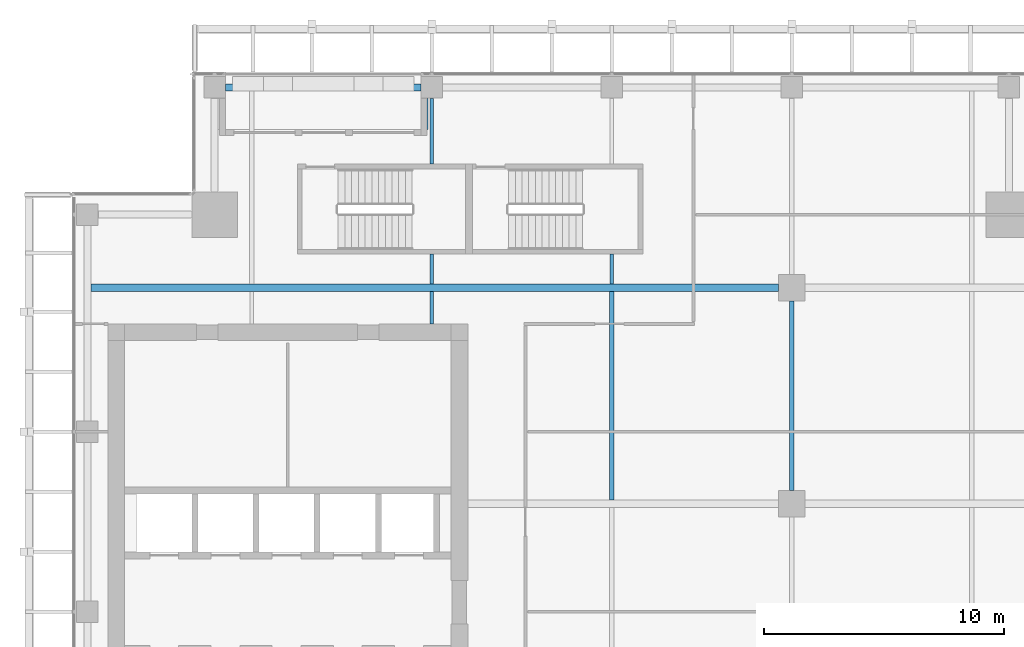
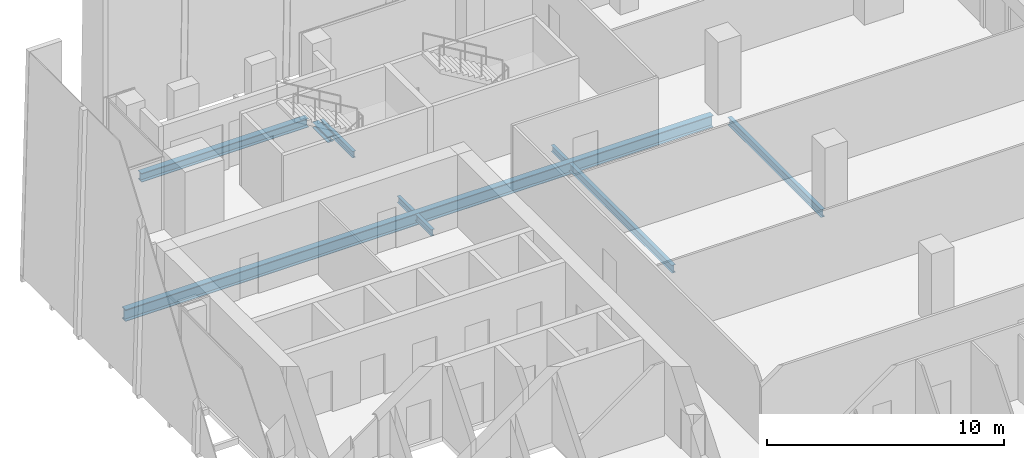
# One storey, part 15 of 35: 9 beams.
"""IFC4 building model written with IfcOpenShell, lengths in metres."""

from ifc_helpers import new_model, si_unit, direction, frame, origin, origin_2d, place, context, subcontext, project, spatial, i_section, extrude, source, transform, mapped, material, material_profile, profile_set, type_object, element, save


model = new_model("IFC4")

# Units and contexts
model_context = context("Model", 3, precision=1e-05, world=origin(), true_north=direction((0.0, 1.0)))
body_context = subcontext(model_context, "Body", "Model", "MODEL_VIEW")
ifc_project = project(units=[si_unit("LENGTHUNIT", "METRE"), si_unit("AREAUNIT", "SQUARE_METRE"), si_unit("VOLUMEUNIT", "CUBIC_METRE"), si_unit("PLANEANGLEUNIT", "RADIAN"), si_unit("MASSUNIT", "GRAM", prefix="KILO")], contexts=[model_context])

# Site, building, storey
site_placement = place(None, origin())
site = spatial("IfcSite", under=ifc_project, at=site_placement, CompositionType="ELEMENT")
building_placement = place(site_placement, origin())
building = spatial("IfcBuilding", under=site, at=building_placement, Name="Khomas Fold Tower", CompositionType="ELEMENT")
storey_placement = place(building_placement, frame((0.0, 0.0, 246.199951171875)))
storey = spatial("IfcBuildingStorey", under=building, at=storey_placement, Name="L55", CompositionType="ELEMENT", Elevation=246.199951171875)

# Beams
ifc_material_1 = material(Name="Steel S355", Category="steel")
ifc_material_profile_1 = material_profile(ifc_material_1, i_section(OverallWidth=0.179931640625, OverallDepth=0.39990234375, WebThickness=0.008544921875, FlangeThickness=0.013427734375, at=origin_2d()), Name="IPE 400")
ifc_profile_set_1 = profile_set([ifc_material_profile_1], Name="Steel S355")
beam_type_1 = type_object("IfcBeamType", Name="IPE 400 beam JB3", PredefinedType="BEAM", material=ifc_profile_set_1)
shared_shape_1 = source(origin(), body_context, "Body", "SweptSolid", [
    extrude(i_section(OverallWidth=0.179931640625, OverallDepth=0.39990234375, WebThickness=0.008544921875, FlangeThickness=0.013427734375, at=origin_2d()), origin(), (0.0, 0.0, 1.0), 8.7001953125),
])
beam_1_placement = place(storey_placement, frame((27.0, 31.64990234375, -0.449951171875), z_axis=(0.0, 1.0, 0.0), x_axis=(-1.0, 0.0, 0.0)))
element("IfcBeam", 1, at=beam_1_placement, inside=storey, type_object=beam_type_1, Name="JB3", PredefinedType="BEAM", context=body_context, shape_type="MappedRepresentation", body=[
    mapped(shared_shape_1, transform((0.0, 0.0, 0.0))),
])
ifc_material_2 = material(Name="Steel S355", Category="steel")
ifc_material_profile_2 = material_profile(ifc_material_2, i_section(OverallWidth=0.159912109375, OverallDepth=0.330078125, WebThickness=0.007568359375, FlangeThickness=0.011474609375, at=origin_2d()), Name="IPE 330")
ifc_profile_set_2 = profile_set([ifc_material_profile_2], Name="Steel S355")
beam_type_2 = type_object("IfcBeamType", Name="IPE 330 beam JB1", PredefinedType="BEAM", material=ifc_profile_set_2)
shared_shape_2 = source(origin(), body_context, "Body", "SweptSolid", [
    extrude(i_section(OverallWidth=0.159912109375, OverallDepth=0.330078125, WebThickness=0.007568359375, FlangeThickness=0.011474609375, at=origin_2d()), origin(), (0.0, 0.0, 1.0), 1.25),
])
for number, where, z_axis, x_axis, name in (
    (2, (19.5, 40.64990234375, -0.4150390625), (0.0, 1.0, 0.0), (-1.0, 0.0, 0.0), "JB1"),
    (3, (27.0, 40.64990234375, -0.4150390625), (0.0, 1.0, 0.0), (-1.0, 0.0, 0.0), "JB1"),
):
    element("IfcBeam", number, at=place(storey_placement, frame(where, z_axis=z_axis, x_axis=x_axis)), inside=storey, type_object=beam_type_2, Name=name, PredefinedType="BEAM", context=body_context, shape_type="MappedRepresentation", body=[
        mapped(shared_shape_2, transform((0.0, 0.0, 0.0))),
    ])
shared_shape_3 = source(origin(), body_context, "Body", "SweptSolid", [
    extrude(i_section(OverallWidth=0.159912109375, OverallDepth=0.330078125, WebThickness=0.007568359375, FlangeThickness=0.011474609375, at=origin_2d()), origin(), (0.0, 0.0, 1.0), 1.35009765625),
])
beam_2_placement = place(storey_placement, frame((19.5, 39.0, -0.4150390625), z_axis=(0.0, 1.0, 0.0), x_axis=(-1.0, 0.0, 0.0)))
element("IfcBeam", 4, at=beam_2_placement, inside=storey, type_object=beam_type_2, Name="JB1", PredefinedType="BEAM", context=body_context, shape_type="MappedRepresentation", body=[
    mapped(shared_shape_3, transform((0.0, 0.0, 0.0))),
])
shared_shape_4 = source(origin(), body_context, "Body", "SweptSolid", [
    extrude(i_section(OverallWidth=0.159912109375, OverallDepth=0.330078125, WebThickness=0.007568359375, FlangeThickness=0.011474609375, at=origin_2d()), origin(), (0.0, 0.0, 1.0), 2.75),
])
beam_3_placement = place(storey_placement, frame((19.5, 45.64990234375, -0.4150390625), z_axis=(0.0, 1.0, 0.0), x_axis=(-1.0, 0.0, 0.0)))
element("IfcBeam", 5, at=beam_3_placement, inside=storey, type_object=beam_type_2, Name="JB1", PredefinedType="BEAM", context=body_context, shape_type="MappedRepresentation", body=[
    mapped(shared_shape_4, transform((0.0, 0.0, 0.0))),
])
ifc_material_3 = material(Name="Steel S355", Category="steel")
ifc_material_profile_3 = material_profile(ifc_material_3, i_section(OverallWidth=0.300048828125, OverallDepth=0.449951171875, WebThickness=0.013916015625, FlangeThickness=0.02587890625, at=origin_2d()), Name="HE 450 B")
ifc_profile_set_3 = profile_set([ifc_material_profile_3], Name="Steel S355")
beam_type_3 = type_object("IfcBeamType", Name="HE 450 B spandrel SB4", PredefinedType="SPANDREL", material=ifc_profile_set_3)
shared_shape_5 = source(origin(), body_context, "Body", "SweptSolid", [
    extrude(i_section(OverallWidth=0.300048828125, OverallDepth=0.449951171875, WebThickness=0.013916015625, FlangeThickness=0.02587890625, at=origin_2d()), origin(), (0.0, 0.0, 1.0), 8.150146484375),
])
beam_4_placement = place(storey_placement, frame((10.89990234375, 48.85009765625, -0.474853515625), z_axis=(1.0, 0.0, 0.0), x_axis=(0.0, 1.0, 0.0)))
element("IfcBeam", 6, at=beam_4_placement, inside=storey, type_object=beam_type_3, Name="SB4", PredefinedType="SPANDREL", context=body_context, shape_type="MappedRepresentation", body=[
    mapped(shared_shape_5, transform((0.0, 0.0, 0.0))),
])
ifc_material_4 = material(Name="Steel S355", Category="steel")
ifc_material_profile_4 = material_profile(ifc_material_4, i_section(OverallWidth=0.300048828125, OverallDepth=0.60009765625, WebThickness=0.015380859375, FlangeThickness=0.030029296875, at=origin_2d()), Name="HE 600 B")
ifc_profile_set_4 = profile_set([ifc_material_profile_4], Name="Steel S355")
beam_type_4 = type_object("IfcBeamType", Name="HE 600 B beam GB5", PredefinedType="BEAM", material=ifc_profile_set_4)
shared_shape_6 = source(origin(), body_context, "Body", "SweptSolid", [
    extrude(i_section(OverallWidth=0.300048828125, OverallDepth=0.60009765625, WebThickness=0.015380859375, FlangeThickness=0.030029296875, at=origin_2d()), origin(), (0.0, 0.0, 1.0), 28.64990234375),
])
beam_5_placement = place(storey_placement, frame((5.300048828125, 40.5, -0.550048828125), z_axis=(1.0, 0.0, 0.0), x_axis=(0.0, 1.0, 0.0)))
element("IfcBeam", 7, at=beam_5_placement, inside=storey, type_object=beam_type_4, Name="GB5", PredefinedType="BEAM", context=body_context, shape_type="MappedRepresentation", body=[
    mapped(shared_shape_6, transform((0.0, 0.0, 0.0))),
])
shared_shape_7 = source(origin(), body_context, "Body", "SweptSolid", [
    extrude(i_section(OverallWidth=0.179931640625, OverallDepth=0.39990234375, WebThickness=0.008544921875, FlangeThickness=0.013427734375, at=origin_2d()), origin(), (0.0, 0.0, 1.0), 7.89990234375),
])
beam_6_placement = place(storey_placement, frame((34.5, 32.050048828125, -0.449951171875), z_axis=(0.0, 1.0, 0.0), x_axis=(-1.0, 0.0, 0.0)))
element("IfcBeam", 8, at=beam_6_placement, inside=storey, type_object=beam_type_1, Name="JB3", PredefinedType="BEAM", context=body_context, shape_type="MappedRepresentation", body=[
    mapped(shared_shape_7, transform((0.0, 0.0, 0.0))),
])
ifc_material_5 = material(Name="Steel S355", Category="steel")
ifc_material_profile_5 = material_profile(ifc_material_5, i_section(OverallWidth=0.300048828125, OverallDepth=0.300048828125, WebThickness=0.010986328125, FlangeThickness=0.01904296875, at=origin_2d()), Name="HE 300 B")
ifc_profile_set_5 = profile_set([ifc_material_profile_5], Name="Steel S355")
beam_type_5 = type_object("IfcBeamType", Name="HE 300 B beam BB1", PredefinedType="BEAM", material=ifc_profile_set_5)
shared_shape_8 = source(origin(), body_context, "Body", "SweptSolid", [
    extrude(i_section(OverallWidth=0.300048828125, OverallDepth=0.300048828125, WebThickness=0.010986328125, FlangeThickness=0.01904296875, at=origin_2d()), origin(), (0.0, 0.0, 1.0), 1.2998046875),
])
beam_7_placement = place(storey_placement, frame((19.199951171875, 47.10009765625, -0.39990234375), z_axis=(0.0, 1.0, 0.0), x_axis=(-1.0, 0.0, 0.0)))
element("IfcBeam", 9, at=beam_7_placement, inside=storey, type_object=beam_type_5, Name="BB1", PredefinedType="BEAM", context=body_context, shape_type="MappedRepresentation", body=[
    mapped(shared_shape_8, transform((0.0, 0.0, 0.0))),
])

save(model, "model.ifc")
